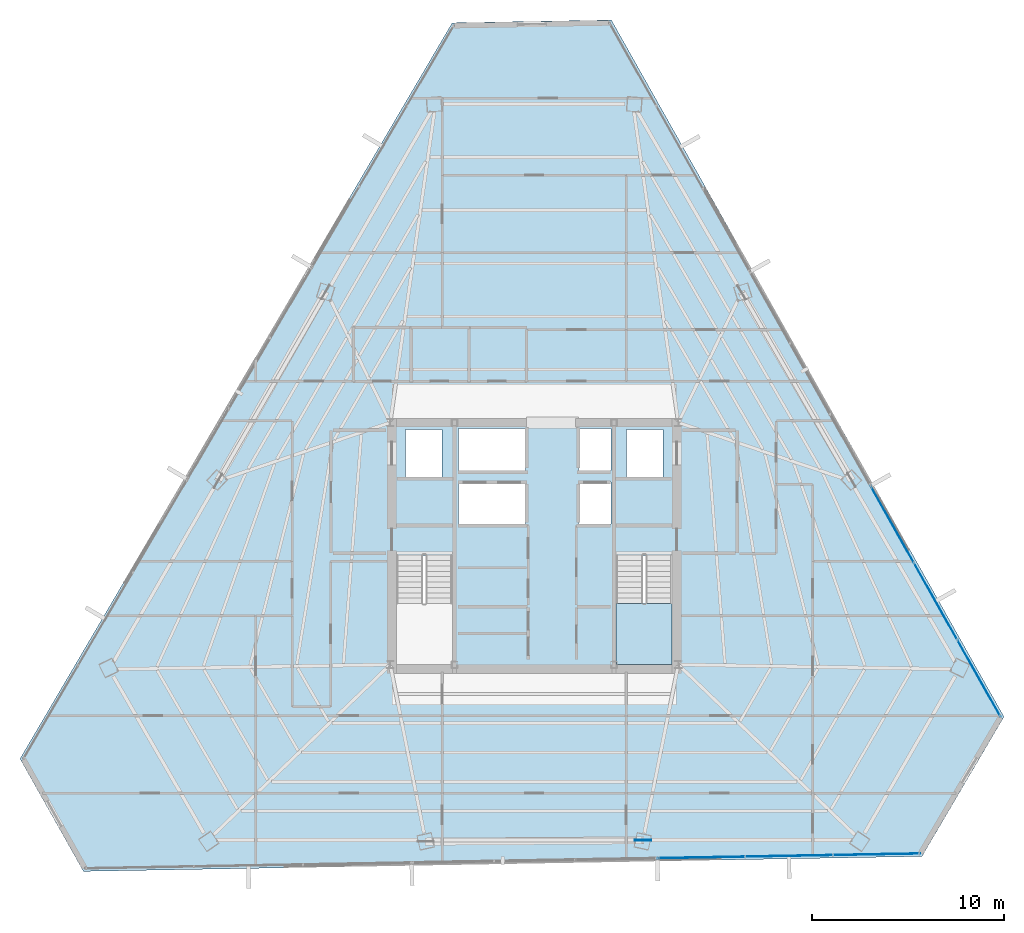
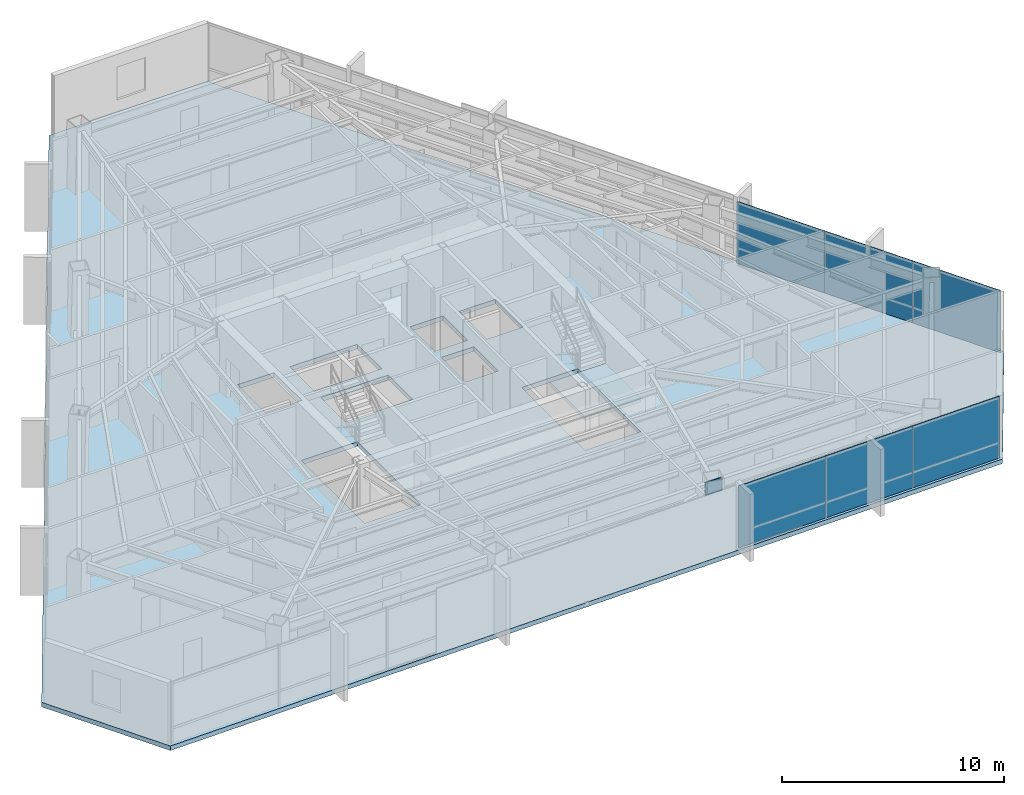
# One storey, part 35 of 44: 7 plates, 2 slabs, 3 elements without a shape of their own.
"""IFC4 building model written with IfcOpenShell, lengths in metres."""

from ifc_helpers import new_model, si_unit, direction, frame, origin, origin_2d, place, context, subcontext, project, spatial, polyline, rectangle, outline, extrude, source, transform, mapped, material, layer, layer_set, type_object, type_shapes, element, aggregate, save


model = new_model("IFC4")

# Units and contexts
model_context = context("Model", 3, precision=1e-05, world=origin(), true_north=direction((0.0, 1.0)))
body_context = subcontext(model_context, "Body", "Model", "MODEL_VIEW")
ifc_project = project(units=[si_unit("LENGTHUNIT", "METRE"), si_unit("AREAUNIT", "SQUARE_METRE"), si_unit("VOLUMEUNIT", "CUBIC_METRE"), si_unit("PLANEANGLEUNIT", "RADIAN"), si_unit("MASSUNIT", "GRAM", prefix="KILO")], contexts=[model_context])

# Site, building, storey
site_placement = place(None, origin())
site = spatial("IfcSite", under=ifc_project, at=site_placement, CompositionType="ELEMENT")
building_placement = place(site_placement, origin())
building = spatial("IfcBuilding", under=site, at=building_placement, Name="Caelisora Broadcast Tower", CompositionType="ELEMENT")
storey_placement = place(building_placement, frame((0.0, 0.0, 198.64990234375)))
storey = spatial("IfcBuildingStorey", under=building, at=storey_placement, Name="L52", CompositionType="ELEMENT", Elevation=198.64990234375)

# Slab
ifc_material_1 = material(Name="Concrete 40 MPa (AS 3600 N40)", Category="concrete")
ifc_layer_1 = layer(ifc_material_1, 0.25, Name="Concrete 40 MPa (AS 3600 N40)")
ifc_layer_set_1 = layer_set([ifc_layer_1], Name="Concrete 40 MPa (AS 3600 N40)")
slab_type_1 = type_object("IfcSlabType", Name="SL04", PredefinedType="FLOOR", material=ifc_layer_set_1)
slab_1_placement = place(storey_placement, frame((0.0, 0.0, -0.25)))
element("IfcSlab", 1, at=slab_1_placement, inside=storey, type_object=slab_type_1, Name="L52 suspended floor SL04", PredefinedType="FLOOR", context=body_context, shape_type="SweptSolid", body=[
    extrude(outline(polyline([(42.013916015625, 50.9580078125), (33.72998046875, 50.81103515625), (11.23095703125, 12.498046875), (14.532958984375, 6.637939453125), (58.18505859375, 7.416015625), (62.455078125, 14.68603515625), (42.013916015625, 50.9580078125)]), holes=[polyline([(30.820068359375, 17.39990234375), (33.739990234375, 17.39990234375), (33.739990234375, 23.080078125), (30.820068359375, 23.080078125), (30.820068359375, 17.39990234375)]), polyline([(42.260009765625, 17.39990234375), (45.179931640625, 17.39990234375), (45.179931640625, 23.080078125), (42.260009765625, 23.080078125), (42.260009765625, 17.39990234375)]), polyline([(42.800048828125, 27.14990234375), (44.699951171875, 27.14990234375), (44.699951171875, 29.64990234375), (42.800048828125, 29.64990234375), (42.800048828125, 27.14990234375)]), polyline([(40.300048828125, 24.719970703125), (42.0, 24.719970703125), (42.0, 26.919921875), (40.300048828125, 26.919921875), (40.300048828125, 24.719970703125)]), polyline([(40.300048828125, 27.5), (42.0, 27.5), (42.0, 29.699951171875), (40.300048828125, 29.699951171875), (40.300048828125, 27.5)]), polyline([(34.050048828125, 24.719970703125), (37.550048828125, 24.719970703125), (37.550048828125, 26.919921875), (34.050048828125, 26.919921875), (34.050048828125, 24.719970703125)]), polyline([(34.050048828125, 27.5), (37.550048828125, 27.5), (37.550048828125, 29.699951171875), (34.050048828125, 29.699951171875), (34.050048828125, 27.5)]), polyline([(31.300048828125, 27.14990234375), (33.199951171875, 27.14990234375), (33.199951171875, 29.64990234375), (31.300048828125, 29.64990234375), (31.300048828125, 27.14990234375)])]), origin(), (0.0, 0.0, 1.0), 0.25),
])

# Stair, slab
stair_type = type_object("IfcStairType", Name="ST-2", PredefinedType="HALF_TURN_STAIR", material=ifc_material_1)
stair_placement = place(storey_placement, origin())
stair = element("IfcStair", 2, at=stair_placement, inside=storey, type_object=stair_type, Name="L52 East Fire-Isolated Tower Stair", PredefinedType="HALF_TURN_STAIR")
ifc_layer_2 = layer(ifc_material_1, 0.199951171875, Name="Concrete 40 MPa (AS 3600 N40)")
ifc_layer_set_2 = layer_set([ifc_layer_2], Name="Concrete 40 MPa (AS 3600 N40)")
slab_type_2 = type_object("IfcSlabType", Name="STL-1", PredefinedType="LANDING", material=ifc_layer_set_2)
slab_2_placement = place(storey_placement, frame((0.0, 0.0, 1.625)))
slab_2 = element("IfcSlab", 3, at=slab_2_placement, type_object=slab_type_2, Name="ST-2 landing 1", PredefinedType="LANDING", context=body_context, shape_type="SweptSolid", body=[
    extrude(outline(polyline([(42.260009765625, 20.580078125), (42.260009765625, 17.39990234375), (45.179931640625, 17.39990234375), (45.179931640625, 20.580078125), (42.260009765625, 20.580078125)])), origin(), (0.0, 0.0, 1.0), 0.2001953125),
])
aggregate(stair, [slab_2])

# Plate
ifc_material_2 = material(Name="Steel Grade 350 L15 (AS/NZS 3678)", Category="steel")
ifc_layer_3 = layer(ifc_material_2, 0.0400390625, Name="Steel Grade 350 L15 (AS/NZS 3678)")
ifc_layer_set_3 = layer_set([ifc_layer_3], Name="Steel Grade 350 L15 (AS/NZS 3678)")
plate_type_1 = type_object("IfcPlateType", Name="GP04", PredefinedType="USERDEFINED", material=ifc_layer_set_3)
shared_shape_1 = source(origin(), body_context, "Body", "SweptSolid", [
    extrude(rectangle(XDim=0.85009765625, YDim=0.0400390625, at=origin_2d()), origin(), (0.0, 0.0, 1.0), 0.699951171875),
])
type_shapes(plate_type_1, [shared_shape_1])
plate_1_placement = place(storey_placement, frame((43.66162109375, 8.26025390625, 2.72998046875), z_axis=(0.0, 0.0, 1.0), x_axis=(1.0, 0.0, 0.0)))
element("IfcPlate", 4, at=plate_1_placement, inside=storey, type_object=plate_type_1, Name="L52 gusset plate GP04 (ND-L52-C07T)", ObjectType="GUSSET PLATE", PredefinedType="USERDEFINED", context=body_context, shape_type="MappedRepresentation", body=[
    mapped(shared_shape_1, transform((0.0, 0.0, 0.0), scale=1.0)),
])

# Curtain wall, plates
ifc_material_3 = material(Name="Unitised Aluminium and Low-E Glass Curtain Wall", Category="glass")
curtain_wall_type = type_object("IfcCurtainWallType", Name="CW-Z4", PredefinedType="NOTDEFINED", material=ifc_material_3)
curtain_wall_1_placement = place(storey_placement, origin())
curtain_wall_1 = element("IfcCurtainWall", 5, at=curtain_wall_1_placement, inside=storey, type_object=curtain_wall_type, Name="L52 curtain wall CW-Z4", PredefinedType="NOTDEFINED")
ifc_material_4 = material(Name="Double Glazed Low-E Argon IGU", Category="glass")
ifc_layer_4 = layer(ifc_material_4, 0.030029296875, Name="Double Glazed Low-E Argon IGU")
ifc_layer_set_4 = layer_set([ifc_layer_4], Name="Double Glazed Low-E Argon IGU")
plate_type_2 = type_object("IfcPlateType", Name="CWP-05", PredefinedType="CURTAIN_PANEL", material=ifc_layer_set_4)
shared_shape_2 = source(origin(), body_context, "Body", "SweptSolid", [
    extrude(rectangle(XDim=4.599609375, YDim=0.030029296875, at=origin_2d()), origin(), (0.0, 0.0, 1.0), 3.39990234375),
])
plate_2_placement = place(storey_placement, frame((56.636474609375, 24.70556640625, 0.000244140625), z_axis=(0.0, 0.0, 1.0), x_axis=(0.490903753615, -0.87121381112, 0.0)))
plate_2 = element("IfcPlate", 6, at=plate_2_placement, type_object=plate_type_2, Name="L52-CW-B03 glazed panel #1", PredefinedType="CURTAIN_PANEL", context=body_context, shape_type="MappedRepresentation", body=[
    mapped(shared_shape_2, transform((0.0, 0.0, 0.0), scale=1.0)),
])
plate_3_placement = place(storey_placement, frame((58.894775390625, 20.698486328125, 0.000244140625), z_axis=(0.0, 0.0, 1.0), x_axis=(0.490903753615, -0.87121381112, 0.0)))
plate_3 = element("IfcPlate", 7, at=plate_3_placement, type_object=plate_type_2, Name="L52-CW-B03 glazed panel #2", PredefinedType="CURTAIN_PANEL", context=body_context, shape_type="MappedRepresentation", body=[
    mapped(shared_shape_2, transform((0.0, 0.0, 0.0), scale=1.0)),
])
plate_4_placement = place(storey_placement, frame((61.15283203125, 16.69140625, 0.000244140625), z_axis=(0.0, 0.0, 1.0), x_axis=(0.490903753615, -0.87121381112, 0.0)))
plate_4 = element("IfcPlate", 8, at=plate_4_placement, type_object=plate_type_2, Name="L52-CW-B03 glazed panel #3", PredefinedType="CURTAIN_PANEL", context=body_context, shape_type="MappedRepresentation", body=[
    mapped(shared_shape_2, transform((0.0, 0.0, 0.0), scale=1.0)),
])
aggregate(curtain_wall_1, [plate_2, plate_3, plate_4])

curtain_wall_2_placement = place(storey_placement, origin())
curtain_wall_2 = element("IfcCurtainWall", 9, at=curtain_wall_2_placement, inside=storey, type_object=curtain_wall_type, Name="L52 curtain wall CW-Z4", PredefinedType="NOTDEFINED")
shared_shape_3 = source(origin(), body_context, "Body", "SweptSolid", [
    extrude(rectangle(XDim=4.561279296875, YDim=0.030029296875, at=origin_2d()), origin(), (0.0, 0.0, 1.0), 3.39990234375),
])
type_shapes(plate_type_2, [shared_shape_2, shared_shape_3])
plate_5_placement = place(storey_placement, frame((55.817626953125, 7.5234375, 0.000244140625), z_axis=(0.0, 0.0, 1.0), x_axis=(-0.999841542203, -0.017801418053, 0.0)))
plate_5 = element("IfcPlate", 10, at=plate_5_placement, type_object=plate_type_2, Name="L52-CW-B05 glazed panel #1", PredefinedType="CURTAIN_PANEL", context=body_context, shape_type="MappedRepresentation", body=[
    mapped(shared_shape_3, transform((0.0, 0.0, 0.0), scale=1.0)),
])
plate_6_placement = place(storey_placement, frame((51.257080078125, 7.442138671875, 0.000244140625), z_axis=(0.0, 0.0, 1.0), x_axis=(-0.999841542203, -0.017801418053, 0.0)))
plate_6 = element("IfcPlate", 11, at=plate_6_placement, type_object=plate_type_2, Name="L52-CW-B05 glazed panel #2", PredefinedType="CURTAIN_PANEL", context=body_context, shape_type="MappedRepresentation", body=[
    mapped(shared_shape_3, transform((0.0, 0.0, 0.0), scale=1.0)),
])
plate_7_placement = place(storey_placement, frame((46.6962890625, 7.361083984375, 0.000244140625), z_axis=(0.0, 0.0, 1.0), x_axis=(-0.999841542203, -0.017801418053, 0.0)))
plate_7 = element("IfcPlate", 12, at=plate_7_placement, type_object=plate_type_2, Name="L52-CW-B05 glazed panel #3", PredefinedType="CURTAIN_PANEL", context=body_context, shape_type="MappedRepresentation", body=[
    mapped(shared_shape_3, transform((0.0, 0.0, 0.0), scale=1.0)),
])
aggregate(curtain_wall_2, [plate_5, plate_6, plate_7])

save(model, "model.ifc")
